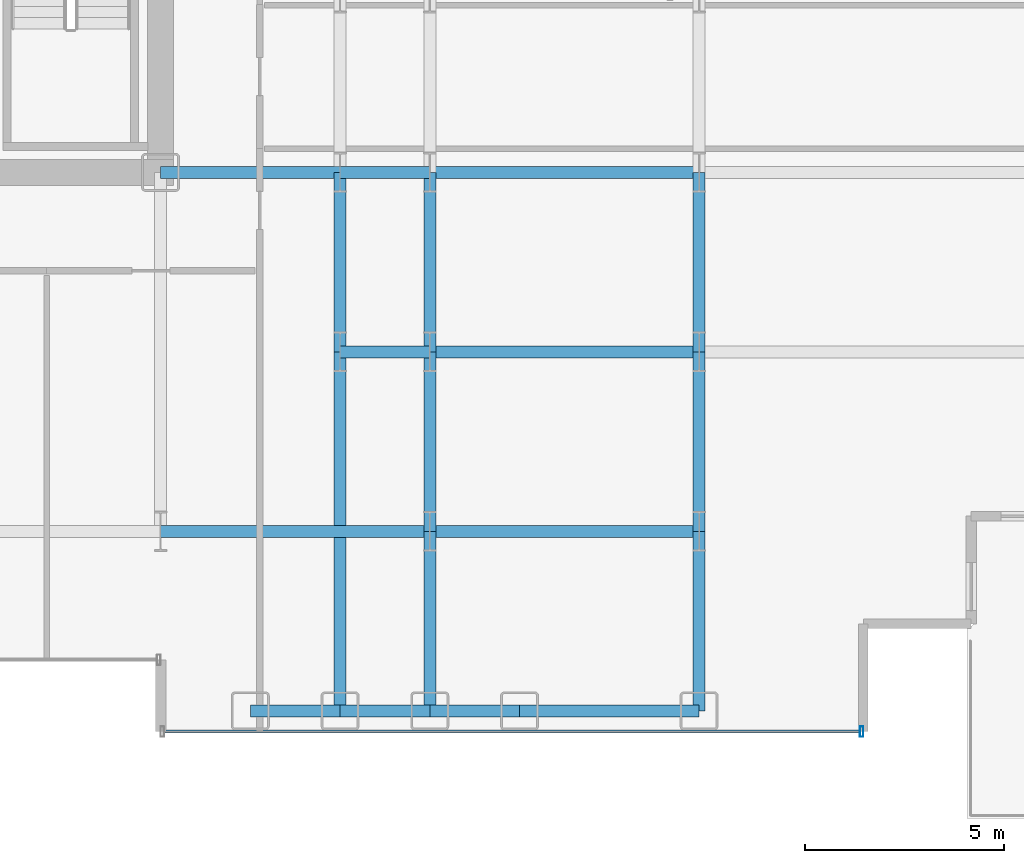
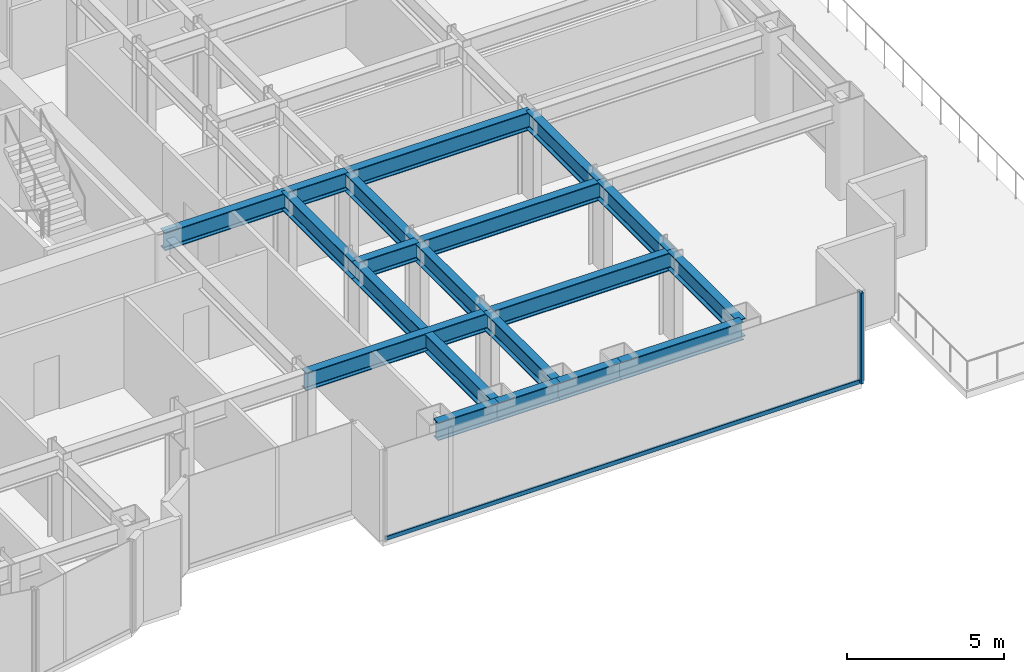
# One storey, part 9 of 30: 19 beams, 2 members, 1 element without a shape of its own.
"""IFC4 building model written with IfcOpenShell, lengths in metres."""

from ifc_helpers import new_model, si_unit, direction, frame, origin, origin_2d, place, context, subcontext, project, spatial, hollow_rectangle, i_section, extrude, source, transform, mapped, material, layer, layer_set, material_profile, profile_set, type_object, element, aggregate, save


model = new_model("IFC4")

# Units and contexts
model_context = context("Model", 3, precision=1e-05, world=origin(), true_north=direction((0.0, 1.0)))
body_context = subcontext(model_context, "Body", "Model", "MODEL_VIEW")
ifc_project = project(units=[si_unit("LENGTHUNIT", "METRE"), si_unit("AREAUNIT", "SQUARE_METRE"), si_unit("VOLUMEUNIT", "CUBIC_METRE"), si_unit("PLANEANGLEUNIT", "RADIAN"), si_unit("MASSUNIT", "GRAM", prefix="KILO")], contexts=[model_context])

# Site, building, storey
site_placement = place(None, origin())
site = spatial("IfcSite", under=ifc_project, at=site_placement, CompositionType="ELEMENT")
building_placement = place(site_placement, origin())
building = spatial("IfcBuilding", under=site, at=building_placement, Name="Nefas-Gora Pilgrimage Tower", CompositionType="ELEMENT")
storey_placement = place(building_placement, frame((0.0, 0.0, 33.0)))
storey = spatial("IfcBuildingStorey", under=building, at=storey_placement, Name="L06", CompositionType="ELEMENT", Elevation=33.0)

# Beams
ifc_material_1 = material(Name="Steel S355", Category="steel")
ifc_material_profile_1 = material_profile(ifc_material_1, i_section(OverallWidth=0.300048828125, OverallDepth=0.699951171875, WebThickness=0.01708984375, FlangeThickness=0.031982421875, FilletRadius=0.027099609375, at=origin_2d()), Name="HEB 700")
ifc_profile_set_1 = profile_set([ifc_material_profile_1], Name="Steel S355")
beam_type_1 = type_object("IfcBeamType", Name="BM-SPN-HEB600", PredefinedType="SPANDREL", material=ifc_profile_set_1)
shared_shape_1 = source(origin(), body_context, "Body", "SweptSolid", [
    extrude(i_section(OverallWidth=0.300048828125, OverallDepth=0.699951171875, WebThickness=0.01708984375, FlangeThickness=0.031982421875, FilletRadius=0.027099609375, at=origin_2d()), origin(), (0.0, 0.0, 1.0), 4.5),
])
beam_1_placement = place(storey_placement, frame((20.25, -22.5, 3.199951171875), z_axis=(1.0, 0.0, 0.0), x_axis=(0.0, 1.0, 0.0)))
element("IfcBeam", 1, at=beam_1_placement, inside=storey, type_object=beam_type_1, Name="L06 SP-01 beam", PredefinedType="SPANDREL", context=body_context, shape_type="MappedRepresentation", body=[
    mapped(shared_shape_1, transform((0.0, 0.0, 0.0), x_axis=(1.0, 0.0, 0.0), y_axis=(0.0, 1.0, 0.0), z_axis=(0.0, 0.0, 1.0), scale=1.0)),
])
ifc_material_profile_2 = material_profile(ifc_material_1, i_section(OverallWidth=0.300048828125, OverallDepth=0.699951171875, WebThickness=0.01708984375, FlangeThickness=0.031982421875, FilletRadius=0.027099609375, at=origin_2d()), Name="HEB 700")
ifc_profile_set_2 = profile_set([ifc_material_profile_2], Name="Steel S355")
beam_type_2 = type_object("IfcBeamType", Name="BM-GIR-HEB700", PredefinedType="BEAM", material=ifc_profile_set_2)
shared_shape_2 = source(origin(), body_context, "Body", "SweptSolid", [
    extrude(i_section(OverallWidth=0.300048828125, OverallDepth=0.699951171875, WebThickness=0.01708984375, FlangeThickness=0.031982421875, FilletRadius=0.027099609375, at=origin_2d()), origin(), (0.0, 0.0, 1.0), 9.0),
])
beam_2_placement = place(storey_placement, frame((15.75, -22.5, 3.199951171875), z_axis=(0.0, 1.0, 0.0), x_axis=(-1.0, 0.0, 0.0)))
element("IfcBeam", 2, at=beam_2_placement, inside=storey, type_object=beam_type_2, Name="L06 G-02 beam", PredefinedType="BEAM", context=body_context, shape_type="MappedRepresentation", body=[
    mapped(shared_shape_2, transform((0.0, 0.0, 0.0), x_axis=(1.0, 0.0, 0.0), y_axis=(0.0, 1.0, 0.0), z_axis=(0.0, 0.0, 1.0), scale=1.0)),
])
shared_shape_3 = source(origin(), body_context, "Body", "SweptSolid", [
    extrude(i_section(OverallWidth=0.300048828125, OverallDepth=0.699951171875, WebThickness=0.01708984375, FlangeThickness=0.031982421875, FilletRadius=0.027099609375, at=origin_2d()), origin(), (0.0, 0.0, 1.0), 4.5),
])
for number, where, z_axis, x_axis, name in (
    (3, (11.25, -9.0, 3.199951171875), (1.0, 0.0, 0.0), (0.0, 1.0, 0.0), "L06 G-02 beam"),
    (4, (15.75, -13.5, 3.199951171875), (0.0, 1.0, 0.0), (-1.0, 0.0, 0.0), "L06 G-02 beam"),
    (5, (18.0, -22.5, 3.199951171875), (0.0, 1.0, 0.0), (-1.0, 0.0, 0.0), "L06 G-02 beam"),
    (6, (18.0, -18.0, 3.199951171875), (0.0, 1.0, 0.0), (-1.0, 0.0, 0.0), "L06 G-02 beam"),
    (7, (18.0, -13.5, 3.199951171875), (0.0, 1.0, 0.0), (-1.0, 0.0, 0.0), "L06 G-02 beam"),
    (8, (24.75, -22.5, 3.199951171875), (0.0, 1.0, 0.0), (-1.0, 0.0, 0.0), "L06 G-02 beam"),
    (9, (24.75, -18.0, 3.199951171875), (0.0, 1.0, 0.0), (-1.0, 0.0, 0.0), "L06 G-02 beam"),
    (10, (24.75, -13.5, 3.199951171875), (0.0, 1.0, 0.0), (-1.0, 0.0, 0.0), "L06 G-02 beam"),
):
    element("IfcBeam", number, at=place(storey_placement, frame(where, z_axis=z_axis, x_axis=x_axis)), inside=storey, type_object=beam_type_2, Name=name, PredefinedType="BEAM", context=body_context, shape_type="MappedRepresentation", body=[
        mapped(shared_shape_3, transform((0.0, 0.0, 0.0), x_axis=(1.0, 0.0, 0.0), y_axis=(0.0, 1.0, 0.0), z_axis=(0.0, 0.0, 1.0), scale=1.0)),
    ])
shared_shape_4 = source(origin(), body_context, "Body", "SweptSolid", [
    extrude(i_section(OverallWidth=0.300048828125, OverallDepth=0.699951171875, WebThickness=0.01708984375, FlangeThickness=0.031982421875, FilletRadius=0.027099609375, at=origin_2d()), origin(), (0.0, 0.0, 1.0), 6.75),
])
for number, where, z_axis, x_axis, name in (
    (11, (11.25, -18.0, 3.199951171875), (1.0, 0.0, 0.0), (0.0, 1.0, 0.0), "L06 G-02 beam"),
    (12, (18.0, -18.0, 3.199951171875), (1.0, 0.0, 0.0), (0.0, 1.0, 0.0), "L06 G-02 beam"),
    (13, (18.0, -13.5, 3.199951171875), (1.0, 0.0, 0.0), (0.0, 1.0, 0.0), "L06 G-02 beam"),
    (14, (18.0, -9.0, 3.199951171875), (1.0, 0.0, 0.0), (0.0, 1.0, 0.0), "L06 G-02 beam"),
):
    element("IfcBeam", number, at=place(storey_placement, frame(where, z_axis=z_axis, x_axis=x_axis)), inside=storey, type_object=beam_type_2, Name=name, PredefinedType="BEAM", context=body_context, shape_type="MappedRepresentation", body=[
        mapped(shared_shape_4, transform((0.0, 0.0, 0.0), x_axis=(1.0, 0.0, 0.0), y_axis=(0.0, 1.0, 0.0), z_axis=(0.0, 0.0, 1.0), scale=1.0)),
    ])
shared_shape_5 = source(origin(), body_context, "Body", "SweptSolid", [
    extrude(i_section(OverallWidth=0.300048828125, OverallDepth=0.699951171875, WebThickness=0.01708984375, FlangeThickness=0.031982421875, FilletRadius=0.027099609375, at=origin_2d()), origin(), (0.0, 0.0, 1.0), 2.25),
])
for number, where, z_axis, x_axis, name in (
    (15, (13.5, -22.5, 3.199951171875), (1.0, 0.0, 0.0), (0.0, 1.0, 0.0), "L06 SP-01 beam"),
    (16, (15.75, -22.5, 3.199951171875), (1.0, 0.0, 0.0), (0.0, 1.0, 0.0), "L06 SP-01 beam"),
    (17, (18.0, -22.5, 3.199951171875), (1.0, 0.0, 0.0), (0.0, 1.0, 0.0), "L06 SP-01 beam"),
):
    element("IfcBeam", number, at=place(storey_placement, frame(where, z_axis=z_axis, x_axis=x_axis)), inside=storey, type_object=beam_type_1, Name=name, PredefinedType="SPANDREL", context=body_context, shape_type="MappedRepresentation", body=[
        mapped(shared_shape_5, transform((0.0, 0.0, 0.0), x_axis=(1.0, 0.0, 0.0), y_axis=(0.0, 1.0, 0.0), z_axis=(0.0, 0.0, 1.0), scale=1.0)),
    ])
shared_shape_6 = source(origin(), body_context, "Body", "SweptSolid", [
    extrude(i_section(OverallWidth=0.300048828125, OverallDepth=0.699951171875, WebThickness=0.01708984375, FlangeThickness=0.031982421875, FilletRadius=0.027099609375, at=origin_2d()), origin(), (0.0, 0.0, 1.0), 2.25),
])
for number, where, z_axis, x_axis, name in (
    (18, (15.75, -13.5, 3.199951171875), (1.0, 0.0, 0.0), (0.0, 1.0, 0.0), "L06 G-02 beam"),
    (19, (15.75, -9.0, 3.199951171875), (1.0, 0.0, 0.0), (0.0, 1.0, 0.0), "L06 G-02 beam"),
):
    element("IfcBeam", number, at=place(storey_placement, frame(where, z_axis=z_axis, x_axis=x_axis)), inside=storey, type_object=beam_type_2, Name=name, PredefinedType="BEAM", context=body_context, shape_type="MappedRepresentation", body=[
        mapped(shared_shape_6, transform((0.0, 0.0, 0.0), x_axis=(1.0, 0.0, 0.0), y_axis=(0.0, 1.0, 0.0), z_axis=(0.0, 0.0, 1.0), scale=1.0)),
    ])

# Curtain wall, members
ifc_material_2 = material(Name="Dark ceramic-fritted solar-control aluminium-glass curtain wall", Category="aluminium")
ifc_layer = layer(ifc_material_2, 0.219970703125)
ifc_layer_set = layer_set([ifc_layer], Name="Dark ceramic-fritted solar-control aluminium-glass curtain wall")
curtain_wall_type = type_object("IfcCurtainWallType", Name="CW-SYS-2", PredefinedType="NOTDEFINED", material=ifc_layer_set)
curtain_wall_placement = place(storey_placement, origin())
curtain_wall = element("IfcCurtainWall", 20, at=curtain_wall_placement, inside=storey, type_object=curtain_wall_type, Name="L06 Unitised Curtain Wall CW2", PredefinedType="NOTDEFINED")
ifc_material_3 = material(Name="Anodised architectural aluminium", Category="aluminium")
ifc_material_profile_3 = material_profile(ifc_material_3, hollow_rectangle(XDim=0.090087890625, YDim=0.260009765625, WallThickness=0.006103515625, InnerFilletRadius=0.006103515625, OuterFilletRadius=0.011962890625, at=origin_2d()), Name="ALU MULLION 90x260")
ifc_profile_set_3 = profile_set([ifc_material_profile_3], Name="Anodised architectural aluminium")
member_type_1 = type_object("IfcMemberType", Name="CWM-MUL-2", PredefinedType="MULLION", material=ifc_profile_set_3)
shared_shape_7 = source(origin(), body_context, "Body", "SweptSolid", [
    extrude(hollow_rectangle(XDim=0.090087890625, YDim=0.260009765625, WallThickness=0.006103515625, InnerFilletRadius=0.006103515625, OuterFilletRadius=0.011962890625, at=origin_2d()), origin(), (0.0, 0.0, 1.0), 3.550048828125),
])
member_1_placement = place(storey_placement, frame((28.824951171875, -23.02001953125, 0.0), z_axis=(0.0, 0.0, 1.0), x_axis=(1.0, 0.0, 0.0)))
member_1 = element("IfcMember", 21, at=member_1_placement, type_object=member_type_1, Name="CW2 Mullion 2", PredefinedType="MULLION", context=body_context, shape_type="MappedRepresentation", body=[
    mapped(shared_shape_7, transform((0.0, 0.0, 0.0), x_axis=(1.0, 0.0, 0.0), y_axis=(0.0, 1.0, 0.0), z_axis=(0.0, 0.0, 1.0), scale=1.0)),
])
ifc_material_profile_4 = material_profile(ifc_material_3, hollow_rectangle(XDim=0.080078125, YDim=0.159912109375, WallThickness=0.00439453125, InnerFilletRadius=0.00439453125, OuterFilletRadius=0.009033203125, at=origin_2d()), Name="ALU TRANSOM 80x160")
ifc_profile_set_4 = profile_set([ifc_material_profile_4], Name="Anodised architectural aluminium")
member_type_2 = type_object("IfcMemberType", Name="CWM-TRN-2", PredefinedType="USERDEFINED", material=ifc_profile_set_4)
shared_shape_8 = source(origin(), body_context, "Body", "SweptSolid", [
    extrude(hollow_rectangle(XDim=0.080078125, YDim=0.159912109375, WallThickness=0.00439453125, InnerFilletRadius=0.00439453125, OuterFilletRadius=0.009033203125, at=origin_2d()), origin(), (0.0, 0.0, 1.0), 17.43994140625),
])
member_2_placement = place(storey_placement, frame((11.340087890625, -23.02001953125, 0.050048828125), z_axis=(1.0, 0.0, 0.0), x_axis=(0.0, 1.0, 0.0)))
member_2 = element("IfcMember", 22, at=member_2_placement, type_object=member_type_2, Name="CW2 Spandrel Transom", ObjectType="TRANSOM", PredefinedType="USERDEFINED", context=body_context, shape_type="MappedRepresentation", body=[
    mapped(shared_shape_8, transform((0.0, 0.0, 0.0), x_axis=(1.0, 0.0, 0.0), y_axis=(0.0, 1.0, 0.0), z_axis=(0.0, 0.0, 1.0), scale=1.0)),
])
aggregate(curtain_wall, [member_1, member_2])

save(model, "model.ifc")
